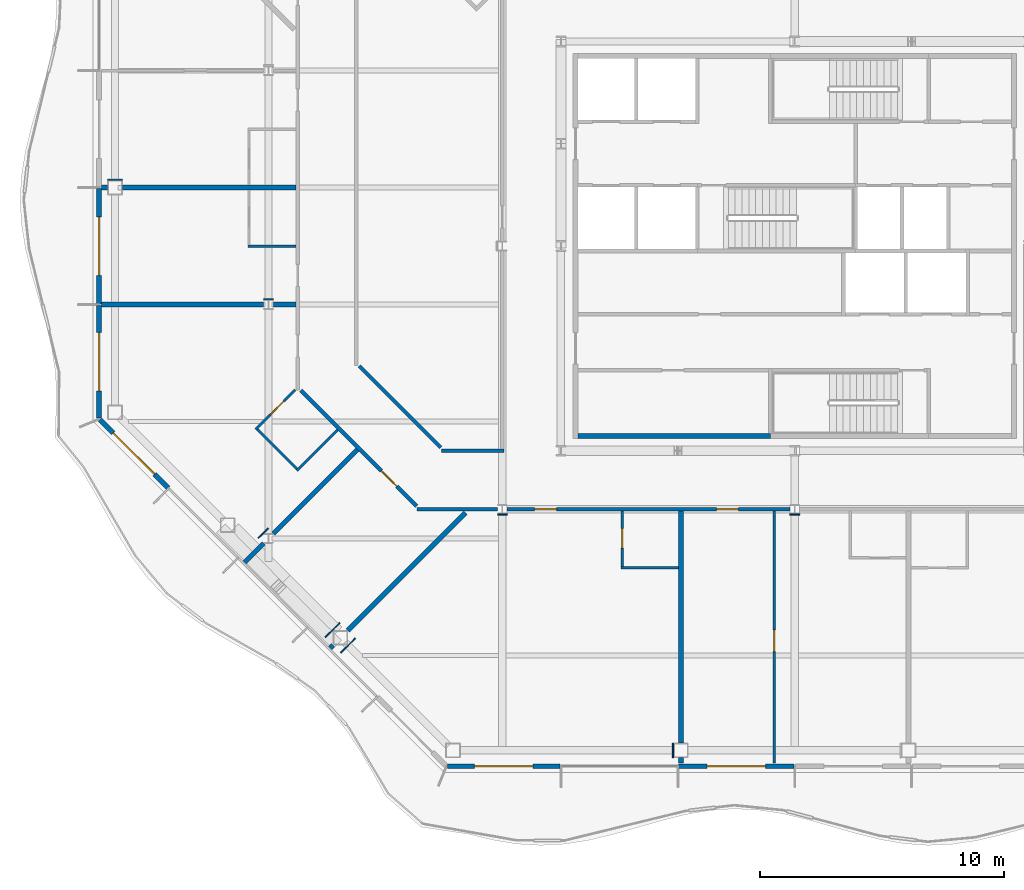
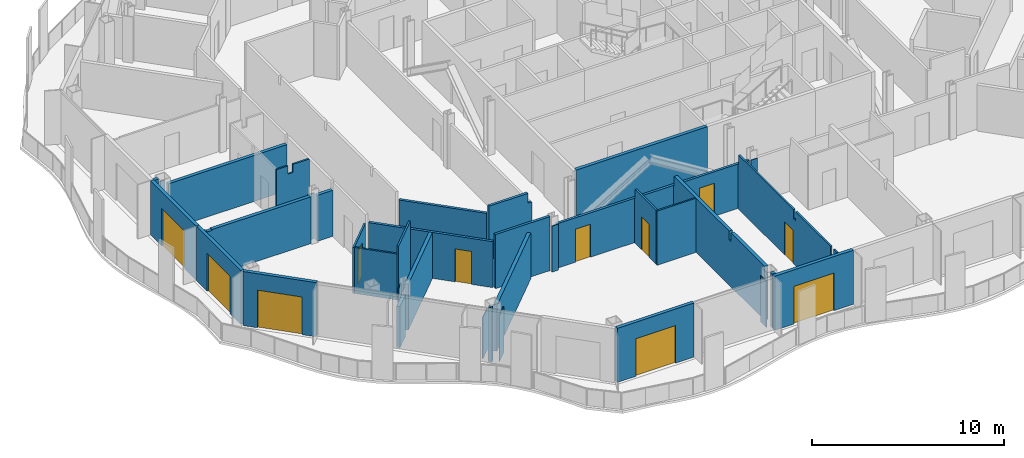
# One storey, part 7 of 21: 36 walls, 11 doors, 11 openings.
"""IFC4 building model written with IfcOpenShell, lengths in metres."""

from ifc_helpers import new_model, si_unit, direction, frame, frame_2d, origin, place, context, subcontext, project, spatial, polyline, rectangle, outline, extrude, material, layer, layer_set, type_object, element, fill, save


model = new_model("IFC4")

# Units and contexts
model_context = context("Model", 3, precision=1e-05, world=origin(), true_north=direction((0.0, 1.0)))
body_context = subcontext(model_context, "Body", "Model", "MODEL_VIEW")
ifc_project = project(units=[si_unit("LENGTHUNIT", "METRE"), si_unit("AREAUNIT", "SQUARE_METRE"), si_unit("VOLUMEUNIT", "CUBIC_METRE"), si_unit("PLANEANGLEUNIT", "RADIAN"), si_unit("MASSUNIT", "GRAM", prefix="KILO")], contexts=[model_context])

# Site, building, storey
site_placement = place(None, origin())
site = spatial("IfcSite", under=ifc_project, at=site_placement, CompositionType="ELEMENT")
building_placement = place(site_placement, origin())
building = spatial("IfcBuilding", under=site, at=building_placement, Name="Cairn Pilgrim Tower", CompositionType="ELEMENT")
storey_placement = place(building_placement, frame((0.0, 0.0, 161.39990234375)))
storey = spatial("IfcBuildingStorey", under=building, at=storey_placement, Name="L40", CompositionType="ELEMENT", Elevation=161.39990234375)

# Wall, opening, door
ifc_material_1 = material(Name="Bronze anodised aluminium insulated sandwich panel with mineral wool fill", Category="aluminium")
ifc_layer_1 = layer(ifc_material_1, 0.199951171875)
ifc_layer_set_1 = layer_set([ifc_layer_1], Name="BRONZE INFILL FRAME WALL 200")
wall_type_1 = type_object("IfcWallType", Name="BRONZE INFILL FRAME WALL 200", PredefinedType="NOTDEFINED", material=ifc_layer_set_1)
wall_1_placement = place(storey_placement, frame((-7.056396484375, -18.949951171875, 0.0), z_axis=(0.0, 0.0, 1.0), x_axis=(1.0, 0.0, 0.0)))
wall_1 = element("IfcWall", 1, at=wall_1_placement, inside=storey, type_object=wall_type_1, Name="Bronze infill frame wall IW-S1", PredefinedType="NOTDEFINED", context=body_context, shape_type="SweptSolid", body=[
    extrude(rectangle(XDim=4.62646484375, YDim=0.199951171875, at=frame_2d((2.313232421875, 0.0))), origin(), (0.0, 0.0, 1.0), 3.4501953125),
])
opening_1_placement = place(wall_1_placement, frame((1.1083984375, 0.0, 0.0)))
opening_1 = element("IfcOpeningElement", 2, at=opening_1_placement, cuts=wall_1, Name="Opening 4021B2", PredefinedType="OPENING", context=body_context, shape_type="SweptSolid", body=[
    extrude(rectangle(XDim=2.39990234375, YDim=2.39990234375, at=frame_2d((1.199951171875, 1.199951171875))), frame((0.0, 0.10986328125, 0.0), z_axis=(0.0, -1.0, 0.0), x_axis=(1.0, 0.0, 0.0)), (0.0, 0.0, 1.0), 0.219970703125),
])
ifc_material_2 = material(Name="Bronze anodised aluminium frame with tinted low-E glass", Category="aluminium")
door_type_1 = type_object("IfcDoorType", Name="BALCONY SLIDING DOOR 2400x2400", OperationType="DOUBLE_DOOR_SLIDING", PredefinedType="DOOR", material=ifc_material_2)
door_1_placement = place(opening_1_placement, origin())
door_1 = element("IfcDoor", 3, at=door_1_placement, inside=storey, type_object=door_type_1, Name="Balcony sliding door 4021B2", OperationType="SINGLE_SWING_LEFT", OverallHeight=2.39990234375, OverallWidth=2.39990234375, PredefinedType="DOOR", context=body_context, shape_type="SweptSolid", body=[
    extrude(rectangle(XDim=2.39990234375, YDim=2.39990234375, at=frame_2d((1.199951171875, 1.199951171875))), frame((0.0, 0.02490234375, 0.0), z_axis=(0.0, -1.0, 0.0), x_axis=(1.0, 0.0, 0.0)), (0.0, 0.0, 1.0), 0.050048828125),
])
fill(opening_1, door_1)

wall_2_placement = place(storey_placement, frame((2.429931640625, -18.949951171875, 0.0), z_axis=(0.0, 0.0, 1.0), x_axis=(1.0, 0.0, 0.0)))
wall_2 = element("IfcWall", 4, at=wall_2_placement, inside=storey, type_object=wall_type_1, Name="Bronze infill frame wall IW-S3", PredefinedType="NOTDEFINED", context=body_context, shape_type="SweptSolid", body=[
    extrude(rectangle(XDim=4.739990234375, YDim=0.199951171875, at=frame_2d((2.3701171875, 0.0))), origin(), (0.0, 0.0, 1.0), 3.4501953125),
])
opening_2_placement = place(wall_2_placement, frame((1.17041015625, 0.0, 0.0)))
opening_2 = element("IfcOpeningElement", 5, at=opening_2_placement, cuts=wall_2, Name="Opening 4022B", PredefinedType="OPENING", context=body_context, shape_type="SweptSolid", body=[
    extrude(rectangle(XDim=2.39990234375, YDim=2.39990234375, at=frame_2d((1.199951171875, 1.199951171875))), frame((0.0, 0.10986328125, 0.0), z_axis=(0.0, -1.0, 0.0), x_axis=(1.0, 0.0, 0.0)), (0.0, 0.0, 1.0), 0.219970703125),
])
door_2_placement = place(opening_2_placement, origin())
door_2 = element("IfcDoor", 6, at=door_2_placement, inside=storey, type_object=door_type_1, Name="Balcony sliding door 4022B", OperationType="SINGLE_SWING_LEFT", OverallHeight=2.39990234375, OverallWidth=2.39990234375, PredefinedType="DOOR", context=body_context, shape_type="SweptSolid", body=[
    extrude(rectangle(XDim=2.39990234375, YDim=2.39990234375, at=frame_2d((1.199951171875, 1.199951171875))), frame((0.0, 0.02490234375, 0.0), z_axis=(0.0, -1.0, 0.0), x_axis=(1.0, 0.0, 0.0)), (0.0, 0.0, 1.0), 0.050048828125),
])
fill(opening_2, door_2)

wall_3_placement = place(storey_placement, frame((-21.35009765625, 4.77001953125, 0.0), z_axis=(0.0, 0.0, 1.0), x_axis=(0.0, -1.0, 0.0)))
wall_3 = element("IfcWall", 7, at=wall_3_placement, inside=storey, type_object=wall_type_1, Name="Bronze infill frame wall IW-W3", PredefinedType="NOTDEFINED", context=body_context, shape_type="SweptSolid", body=[
    extrude(rectangle(XDim=4.739990234375, YDim=0.199951171875, at=frame_2d((2.3701171875, 0.0))), origin(), (0.0, 0.0, 1.0), 3.4501953125),
])
opening_3_placement = place(wall_3_placement, frame((1.169921875, 0.0, 0.0)))
opening_3 = element("IfcOpeningElement", 8, at=opening_3_placement, cuts=wall_3, Name="Opening 4018B", PredefinedType="OPENING", context=body_context, shape_type="SweptSolid", body=[
    extrude(rectangle(XDim=2.39990234375, YDim=2.39990234375, at=frame_2d((1.199951171875, 1.199951171875))), frame((0.0, 0.10986328125, 0.0), z_axis=(0.0, -1.0, 0.0), x_axis=(1.0, 0.0, 0.0)), (0.0, 0.0, 1.0), 0.219970703125),
])
door_3_placement = place(opening_3_placement, origin())
door_3 = element("IfcDoor", 9, at=door_3_placement, inside=storey, type_object=door_type_1, Name="Balcony sliding door 4018B", OperationType="SINGLE_SWING_LEFT", OverallHeight=2.39990234375, OverallWidth=2.39990234375, PredefinedType="DOOR", context=body_context, shape_type="SweptSolid", body=[
    extrude(rectangle(XDim=2.39990234375, YDim=2.39990234375, at=frame_2d((1.199951171875, 1.199951171875))), frame((0.0, 0.02490234375, 0.0), z_axis=(0.0, -1.0, 0.0), x_axis=(1.0, 0.0, 0.0)), (0.0, 0.0, 1.0), 0.050048828125),
])
fill(opening_3, door_3)

wall_4_placement = place(storey_placement, frame((-21.35009765625, -0.030029296875, 0.0), z_axis=(0.0, 0.0, 1.0), x_axis=(0.0, -1.0, 0.0)))
wall_4 = element("IfcWall", 10, at=wall_4_placement, inside=storey, type_object=wall_type_1, Name="Bronze infill frame wall IW-W4", PredefinedType="NOTDEFINED", context=body_context, shape_type="SweptSolid", body=[
    extrude(rectangle(XDim=4.62646484375, YDim=0.199951171875, at=frame_2d((2.313232421875, 0.0))), origin(), (0.0, 0.0, 1.0), 3.4501953125),
])
opening_4_placement = place(wall_4_placement, frame((1.117919921875, 0.0, 0.0)))
opening_4 = element("IfcOpeningElement", 11, at=opening_4_placement, cuts=wall_4, Name="Opening 4019B", PredefinedType="OPENING", context=body_context, shape_type="SweptSolid", body=[
    extrude(rectangle(XDim=2.39990234375, YDim=2.39990234375, at=frame_2d((1.199951171875, 1.199951171875))), frame((0.0, 0.10986328125, 0.0), z_axis=(0.0, -1.0, 0.0), x_axis=(1.0, 0.0, 0.0)), (0.0, 0.0, 1.0), 0.219970703125),
])
door_4_placement = place(opening_4_placement, origin())
door_4 = element("IfcDoor", 12, at=door_4_placement, inside=storey, type_object=door_type_1, Name="Balcony sliding door 4019B", OperationType="SINGLE_SWING_LEFT", OverallHeight=2.39990234375, OverallWidth=2.39990234375, PredefinedType="DOOR", context=body_context, shape_type="SweptSolid", body=[
    extrude(rectangle(XDim=2.39990234375, YDim=2.39990234375, at=frame_2d((1.199951171875, 1.199951171875))), frame((0.0, 0.02490234375, 0.0), z_axis=(0.0, -1.0, 0.0), x_axis=(1.0, 0.0, 0.0)), (0.0, 0.0, 1.0), 0.050048828125),
])
fill(opening_4, door_4)

wall_5_placement = place(storey_placement, frame((-21.32177734375, -4.724609375, 0.0), z_axis=(0.0, 0.0, 1.0), x_axis=(0.707106781187, -0.707106781187, 0.0)))
wall_5 = element("IfcWall", 13, at=wall_5_placement, inside=storey, type_object=wall_type_1, Name="Bronze infill frame wall IW-SW1", PredefinedType="NOTDEFINED", context=body_context, shape_type="SweptSolid", body=[
    extrude(rectangle(XDim=3.961669921875, YDim=0.199951171875, at=frame_2d((1.98095703125, 0.0))), origin(), (0.0, 0.0, 1.0), 3.4501953125),
])
opening_5_placement = place(wall_5_placement, frame((0.775390625, 0.0, 0.0)))
opening_5 = element("IfcOpeningElement", 14, at=opening_5_placement, cuts=wall_5, Name="Opening 4019B2", PredefinedType="OPENING", context=body_context, shape_type="SweptSolid", body=[
    extrude(rectangle(XDim=2.39990234375, YDim=2.39990234375, at=frame_2d((1.199951171875, 1.199951171875))), frame((0.0, 0.10986328125, 0.0), z_axis=(0.0, -1.0, 0.0), x_axis=(1.0, 0.0, 0.0)), (0.0, 0.0, 1.0), 0.219970703125),
])
door_5_placement = place(opening_5_placement, origin())
door_5 = element("IfcDoor", 15, at=door_5_placement, inside=storey, type_object=door_type_1, Name="Balcony sliding door 4019B2", OperationType="SINGLE_SWING_LEFT", OverallHeight=2.39990234375, OverallWidth=2.39990234375, PredefinedType="DOOR", context=body_context, shape_type="SweptSolid", body=[
    extrude(rectangle(XDim=2.39990234375, YDim=2.39990234375, at=frame_2d((1.199951171875, 1.199951171875))), frame((0.0, 0.02490234375, 0.0), z_axis=(0.0, -1.0, 0.0), x_axis=(1.0, 0.0, 0.0)), (0.0, 0.0, 1.0), 0.050048828125),
])
fill(opening_5, door_5)

# Wall
ifc_material_3 = material(Name="Concrete C32/40", Category="concrete")
ifc_layer_2 = layer(ifc_material_3, 0.199951171875)
ifc_layer_set_2 = layer_set([ifc_layer_2], Name="CORE OUTER WALL 200 EI 120")
wall_type_2 = type_object("IfcWallType", Name="CORE OUTER WALL 200 EI 120", PredefinedType="SOLIDWALL", material=ifc_layer_set_2)
wall_6_placement = place(storey_placement, frame((-1.699951171875, -5.39990234375, 0.0), z_axis=(0.0, 0.0, 1.0), x_axis=(1.0, 0.0, 0.0)))
element("IfcWall", 16, at=wall_6_placement, inside=storey, type_object=wall_type_2, Name="CW:L40:H01-1", PredefinedType="SOLIDWALL", context=body_context, shape_type="SweptSolid", body=[
    extrude(rectangle(XDim=7.89990234375, YDim=0.199951171875, at=frame_2d((3.949951171875, 0.0))), origin(), (0.0, 0.0, 1.0), 3.4501953125),
])

# Wall, opening, door
ifc_material_4 = material(Name="Gypsum partition")
ifc_layer_3 = layer(ifc_material_4, 0.10009765625)
ifc_layer_set_3 = layer_set([ifc_layer_3], Name="PARTITION 100 DRYWALL")
wall_type_3 = type_object("IfcWallType", Name="PARTITION 100 DRYWALL", PredefinedType="PARTITIONING", material=ifc_layer_set_3)
wall_7_placement = place(storey_placement, frame((6.35791015625, -18.820068359375, 0.0), z_axis=(0.0, 0.0, 1.0), x_axis=(0.0, 1.0, 0.0)))
wall_7 = element("IfcWall", 17, at=wall_7_placement, inside=storey, type_object=wall_type_3, Name="PARTITION W002", PredefinedType="PARTITIONING", context=body_context, shape_type="SweptSolid", body=[
    extrude(outline(polyline([(0.0, 0.0), (10.344970703125, 0.0), (10.344970703125, 2.830078125), (10.27001953125, 2.830078125), (10.26806640625, 3.4501953125), (4.52490234375, 3.4501953125), (4.52294921875, 2.880126953125), (4.31494140625, 2.880126953125), (4.31298828125, 3.4501953125), (0.669921875, 3.4501953125), (0.66796875, 2.93017578125), (0.3701171875, 2.93017578125), (0.367919921875, 3.4501953125), (0.0, 3.4501953125), (0.0, 0.0)])), frame((0.0, 0.050048828125, 0.0), z_axis=(0.0, -1.0, 0.0), x_axis=(1.0, 0.0, 0.0)), (0.0, 0.0, 1.0), 0.10009765625),
])
opening_6_placement = place(wall_7_placement, frame((4.570068359375, 0.0, 0.0)))
opening_6 = element("IfcOpeningElement", 18, at=opening_6_placement, cuts=wall_7, Name="Opening 4022C", PredefinedType="OPENING", context=body_context, shape_type="SweptSolid", body=[
    extrude(rectangle(XDim=0.89990234375, YDim=2.10009765625, at=frame_2d((0.449951171875, 1.050048828125))), frame((0.0, 0.06005859375, 0.0), z_axis=(0.0, -1.0, 0.0), x_axis=(1.0, 0.0, 0.0)), (0.0, 0.0, 1.0), 0.1201171875),
])
ifc_material_5 = material(Name="Timber door leaf", Category="wood")
door_type_2 = type_object("IfcDoorType", Name="SERVICE DOOR 900x2100", OperationType="NOTDEFINED", PredefinedType="DOOR", material=ifc_material_5)
door_6_placement = place(opening_6_placement, origin())
door_6 = element("IfcDoor", 19, at=door_6_placement, inside=storey, type_object=door_type_2, Name="DOOR 4022C", OperationType="SINGLE_SWING_RIGHT", OverallHeight=2.10009765625, OverallWidth=0.89990234375, PredefinedType="DOOR", context=body_context, shape_type="SweptSolid", body=[
    extrude(rectangle(XDim=0.89990234375, YDim=2.10009765625, at=frame_2d((0.449951171875, 1.050048828125))), frame((0.0, 0.02490234375, 0.0), z_axis=(0.0, -1.0, 0.0), x_axis=(1.0, 0.0, 0.0)), (0.0, 0.0, 1.0), 0.050048828125),
])
fill(opening_6, door_6)

# Wall
wall_8_placement = place(storey_placement, frame((0.073974609375, -10.800048828125, 0.0), z_axis=(0.0, 0.0, 1.0), x_axis=(1.0, 0.0, 0.0)))
element("IfcWall", 20, at=wall_8_placement, inside=storey, type_object=wall_type_3, Name="PARTITION W011", PredefinedType="PARTITIONING", context=body_context, shape_type="SweptSolid", body=[
    extrude(rectangle(XDim=2.35009765625, YDim=0.10009765625, at=frame_2d((1.175048828125, 0.0))), origin(), (0.0, 0.0, 1.0), 3.4501953125),
])

# Wall, opening, door
wall_9_placement = place(storey_placement, frame((0.1240234375, -10.75, 0.0), z_axis=(0.0, 0.0, 1.0), x_axis=(0.0, 1.0, 0.0)))
wall_9 = element("IfcWall", 21, at=wall_9_placement, inside=storey, type_object=wall_type_3, Name="PARTITION W012", PredefinedType="PARTITIONING", context=body_context, shape_type="SweptSolid", body=[
    extrude(outline(polyline([(0.0, 0.0), (2.27490234375, 0.0), (2.27490234375, 2.830078125), (2.199951171875, 2.830078125), (2.197998046875, 3.4501953125), (0.0, 3.4501953125), (0.0, 0.0)])), frame((0.0, 0.050048828125, 0.0), z_axis=(0.0, -1.0, 0.0), x_axis=(1.0, 0.0, 0.0)), (0.0, 0.0, 1.0), 0.10009765625),
])
opening_7_placement = place(wall_9_placement, frame((0.75, 0.0, 0.0)))
opening_7 = element("IfcOpeningElement", 22, at=opening_7_placement, cuts=wall_9, Name="Opening 4021A", PredefinedType="OPENING", context=body_context, shape_type="SweptSolid", body=[
    extrude(rectangle(XDim=0.800048828125, YDim=2.10009765625, at=frame_2d((0.39990234375, 1.050048828125))), frame((0.0, 0.06005859375, 0.0), z_axis=(0.0, -1.0, 0.0), x_axis=(1.0, 0.0, 0.0)), (0.0, 0.0, 1.0), 0.1201171875),
])
door_type_3 = type_object("IfcDoorType", Name="WC DOOR 800x2100", OperationType="NOTDEFINED", PredefinedType="DOOR", material=ifc_material_5)
door_7_placement = place(opening_7_placement, origin())
door_7 = element("IfcDoor", 23, at=door_7_placement, inside=storey, type_object=door_type_3, Name="DOOR 4021A", OperationType="SINGLE_SWING_RIGHT", OverallHeight=2.10009765625, OverallWidth=0.800048828125, PredefinedType="DOOR", context=body_context, shape_type="SweptSolid", body=[
    extrude(rectangle(XDim=0.800048828125, YDim=2.10009765625, at=frame_2d((0.39990234375, 1.050048828125))), frame((0.0, 0.02490234375, 0.0), z_axis=(0.0, -1.0, 0.0), x_axis=(1.0, 0.0, 0.0)), (0.0, 0.0, 1.0), 0.050048828125),
])
fill(opening_7, door_7)

# Walls
wall_10_placement = place(storey_placement, frame((-13.2353515625, -6.752685546875, 0.0), z_axis=(0.0, 0.0, 1.0), x_axis=(-0.707106781187, 0.707106781187, 0.0)))
element("IfcWall", 24, at=wall_10_placement, inside=storey, type_object=wall_type_3, Name="PARTITION W028", PredefinedType="PARTITIONING", context=body_context, shape_type="SweptSolid", body=[
    extrude(rectangle(XDim=2.2998046875, YDim=0.10009765625, at=frame_2d((1.14990234375, 0.0))), origin(), (0.0, 0.0, 1.0), 2.93017578125),
])
wall_11_placement = place(storey_placement, frame((-13.2353515625, -6.823486328125, 0.0), z_axis=(0.0, 0.0, 1.0), x_axis=(0.707106781187, 0.707106781187, 0.0)))
element("IfcWall", 25, at=wall_11_placement, inside=storey, type_object=wall_type_3, Name="PARTITION W029", PredefinedType="PARTITIONING", context=body_context, shape_type="SweptSolid", body=[
    extrude(rectangle(XDim=2.375, YDim=0.10009765625, at=frame_2d((1.1875, 0.0))), origin(), (0.0, 0.0, 1.0), 3.4501953125),
])

# Wall, opening, door
wall_12_placement = place(storey_placement, frame((-14.932373046875, -5.12646484375, 0.0), z_axis=(0.0, 0.0, 1.0), x_axis=(0.707106781187, 0.707106781187, 0.0)))
wall_12 = element("IfcWall", 26, at=wall_12_placement, inside=storey, type_object=wall_type_3, Name="PARTITION W037", PredefinedType="PARTITIONING", context=body_context, shape_type="SweptSolid", body=[
    extrude(rectangle(XDim=2.2939453125, YDim=0.10009765625, at=frame_2d((1.14697265625, 0.0))), origin(), (0.0, 0.0, 1.0), 2.93017578125),
])
opening_8_placement = place(wall_12_placement, frame((0.849853515625, 0.0, 0.0)))
opening_8 = element("IfcOpeningElement", 27, at=opening_8_placement, cuts=wall_12, Name="Opening 4019A", PredefinedType="OPENING", context=body_context, shape_type="SweptSolid", body=[
    extrude(rectangle(XDim=0.800048828125, YDim=2.10009765625, at=frame_2d((0.39990234375, 1.050048828125))), frame((0.0, 0.06005859375, 0.0), z_axis=(0.0, -1.0, 0.0), x_axis=(1.0, 0.0, 0.0)), (0.0, 0.0, 1.0), 0.1201171875),
])
door_8_placement = place(opening_8_placement, origin())
door_8 = element("IfcDoor", 28, at=door_8_placement, inside=storey, type_object=door_type_3, Name="DOOR 4019A", OperationType="SINGLE_SWING_LEFT", OverallHeight=2.10009765625, OverallWidth=0.800048828125, PredefinedType="DOOR", context=body_context, shape_type="SweptSolid", body=[
    extrude(rectangle(XDim=0.800048828125, YDim=2.10009765625, at=frame_2d((0.39990234375, 1.050048828125))), frame((0.0, 0.02490234375, 0.0), z_axis=(0.0, -1.0, 0.0), x_axis=(1.0, 0.0, 0.0)), (0.0, 0.0, 1.0), 0.050048828125),
])
fill(opening_8, door_8)

# Walls
wall_13_placement = place(storey_placement, frame((-15.25, 2.39990234375, 0.0), z_axis=(0.0, 0.0, 1.0), x_axis=(1.0, 0.0, 0.0)))
element("IfcWall", 29, at=wall_13_placement, inside=storey, type_object=wall_type_3, Name="PARTITION W050", PredefinedType="PARTITIONING", context=body_context, shape_type="SweptSolid", body=[
    extrude(outline(polyline([(0.0, 0.0), (1.97509765625, 0.0), (1.97509765625, 3.4501953125), (1.0, 3.4501953125), (0.998046875, 2.93017578125), (0.699951171875, 2.93017578125), (0.697998046875, 3.4501953125), (0.0, 3.4501953125), (0.0, 0.0)])), frame((0.0, 0.050048828125, 0.0), z_axis=(0.0, -1.0, 0.0), x_axis=(1.0, 0.0, 0.0)), (0.0, 0.0, 1.0), 0.10009765625),
])
ifc_layer_4 = layer(ifc_material_4, 0.14990234375)
ifc_layer_set_4 = layer_set([ifc_layer_4], Name="PARTITION 150 DRYWALL EI 60")
wall_type_4 = type_object("IfcWallType", Name="PARTITION 150 DRYWALL EI 60", PredefinedType="PARTITIONING", material=ifc_layer_set_4)
wall_14_placement = place(storey_placement, frame((-8.300048828125, -8.39990234375, 0.0), z_axis=(0.0, 0.0, 1.0), x_axis=(1.0, 0.0, 0.0)))
element("IfcWall", 30, at=wall_14_placement, inside=storey, type_object=wall_type_4, Name="PARTITION W021", PredefinedType="PARTITIONING", context=body_context, shape_type="SweptSolid", body=[
    extrude(rectangle(XDim=3.300537109375, YDim=0.14990234375, at=frame_2d((1.650390625, 0.0))), origin(), (0.0, 0.0, 1.0), 3.4501953125),
])

# Wall, openings, doors
wall_15_placement = place(storey_placement, frame((-4.6005859375, -8.39990234375, 0.0), z_axis=(0.0, 0.0, 1.0), x_axis=(1.0, 0.0, 0.0)))
wall_15 = element("IfcWall", 31, at=wall_15_placement, inside=storey, type_object=wall_type_4, Name="PARTITION W022", PredefinedType="PARTITIONING", context=body_context, shape_type="SweptSolid", body=[
    extrude(rectangle(XDim=11.60107421875, YDim=0.14990234375, at=frame_2d((5.800537109375, 0.0))), origin(), (0.0, 0.0, 1.0), 2.830078125),
])
opening_9_placement = place(wall_15_placement, frame((1.12451171875, 0.0, 0.0)))
opening_9 = element("IfcOpeningElement", 32, at=opening_9_placement, cuts=wall_15, Name="Opening 4021", PredefinedType="OPENING", context=body_context, shape_type="SweptSolid", body=[
    extrude(rectangle(XDim=0.89990234375, YDim=2.10009765625, at=frame_2d((0.449951171875, 1.050048828125))), frame((0.0, 0.0849609375, 0.0), z_axis=(0.0, -1.0, 0.0), x_axis=(1.0, 0.0, 0.0)), (0.0, 0.0, 1.0), 0.169921875),
])
opening_10_placement = place(wall_15_placement, frame((8.591552734375, 0.0, 0.0)))
opening_10 = element("IfcOpeningElement", 33, at=opening_10_placement, cuts=wall_15, Name="Opening 4022", PredefinedType="OPENING", context=body_context, shape_type="SweptSolid", body=[
    extrude(rectangle(XDim=0.89990234375, YDim=2.10009765625, at=frame_2d((0.449951171875, 1.050048828125))), frame((0.0, 0.0849609375, 0.0), z_axis=(0.0, -1.0, 0.0), x_axis=(1.0, 0.0, 0.0)), (0.0, 0.0, 1.0), 0.169921875),
])
door_type_4 = type_object("IfcDoorType", Name="ROOM DOOR 900x2100 FD30S", OperationType="NOTDEFINED", PredefinedType="DOOR", material=ifc_material_5)
door_9_placement = place(opening_9_placement, frame((0.89990234375, 0.0, 0.0), z_axis=(0.0, 0.0, 1.0), x_axis=(-1.0, 0.0, 0.0)))
door_9 = element("IfcDoor", 34, at=door_9_placement, inside=storey, type_object=door_type_4, Name="DOOR 4021", OperationType="SINGLE_SWING_RIGHT", OverallHeight=2.10009765625, OverallWidth=0.89990234375, PredefinedType="DOOR", context=body_context, shape_type="SweptSolid", body=[
    extrude(rectangle(XDim=0.89990234375, YDim=2.10009765625, at=frame_2d((0.449951171875, 1.050048828125))), frame((0.0, 0.02490234375, 0.0), z_axis=(0.0, -1.0, 0.0), x_axis=(1.0, 0.0, 0.0)), (0.0, 0.0, 1.0), 0.050048828125),
])
fill(opening_9, door_9)
door_10_placement = place(opening_10_placement, frame((0.89990234375, 0.0, 0.0), z_axis=(0.0, 0.0, 1.0), x_axis=(-1.0, 0.0, 0.0)))
door_10 = element("IfcDoor", 35, at=door_10_placement, inside=storey, type_object=door_type_4, Name="DOOR 4022", OperationType="SINGLE_SWING_RIGHT", OverallHeight=2.10009765625, OverallWidth=0.89990234375, PredefinedType="DOOR", context=body_context, shape_type="SweptSolid", body=[
    extrude(rectangle(XDim=0.89990234375, YDim=2.10009765625, at=frame_2d((0.449951171875, 1.050048828125))), frame((0.0, 0.02490234375, 0.0), z_axis=(0.0, -1.0, 0.0), x_axis=(1.0, 0.0, 0.0)), (0.0, 0.0, 1.0), 0.050048828125),
])
fill(opening_10, door_10)

# Wall, opening, door
wall_16_placement = place(storey_placement, frame((-8.322021484375, -8.27197265625, 0.0), z_axis=(0.0, 0.0, 1.0), x_axis=(-0.707106781187, 0.707106781187, 0.0)))
wall_16 = element("IfcWall", 36, at=wall_16_placement, inside=storey, type_object=wall_type_4, Name="PARTITION W025", PredefinedType="PARTITIONING", context=body_context, shape_type="SweptSolid", body=[
    extrude(rectangle(XDim=6.717529296875, YDim=0.14990234375, at=frame_2d((3.35888671875, 0.0))), origin(), (0.0, 0.0, 1.0), 2.93017578125),
])
opening_11_placement = place(wall_16_placement, frame((1.138916015625, 0.0, 0.0)))
opening_11 = element("IfcOpeningElement", 37, at=opening_11_placement, cuts=wall_16, Name="Opening 4020", PredefinedType="OPENING", context=body_context, shape_type="SweptSolid", body=[
    extrude(rectangle(XDim=0.89990234375, YDim=2.10009765625, at=frame_2d((0.449951171875, 1.050048828125))), frame((0.0, 0.0849609375, 0.0), z_axis=(0.0, -1.0, 0.0), x_axis=(1.0, 0.0, 0.0)), (0.0, 0.0, 1.0), 0.169921875),
])
door_type_5 = type_object("IfcDoorType", Name="SERVICE DOOR 900x2100 FD30S", OperationType="NOTDEFINED", PredefinedType="DOOR", material=ifc_material_5)
door_11_placement = place(opening_11_placement, origin())
door_11 = element("IfcDoor", 38, at=door_11_placement, inside=storey, type_object=door_type_5, Name="DOOR 4020", OperationType="SINGLE_SWING_RIGHT", OverallHeight=2.10009765625, OverallWidth=0.89990234375, PredefinedType="DOOR", context=body_context, shape_type="SweptSolid", body=[
    extrude(rectangle(XDim=0.89990234375, YDim=2.10009765625, at=frame_2d((0.449951171875, 1.050048828125))), frame((0.0, 0.02490234375, 0.0), z_axis=(0.0, -1.0, 0.0), x_axis=(1.0, 0.0, 0.0)), (0.0, 0.0, 1.0), 0.050048828125),
])
fill(opening_11, door_11)

# Walls
wall_17_placement = place(storey_placement, frame((-7.30615234375, -6.0, 0.0), z_axis=(0.0, 0.0, 1.0), x_axis=(1.0, 0.0, 0.0)))
element("IfcWall", 39, at=wall_17_placement, inside=storey, type_object=wall_type_4, Name="PARTITION W031", PredefinedType="PARTITIONING", context=body_context, shape_type="SweptSolid", body=[
    extrude(outline(polyline([(0.0, 0.0), (2.5810546875, 0.0), (2.5810546875, 2.830078125), (2.356201171875, 2.830078125), (2.35400390625, 3.4501953125), (0.0, 3.4501953125), (0.0, 0.0)])), frame((0.0, 0.074951171875, 0.0), z_axis=(0.0, -1.0, 0.0), x_axis=(1.0, 0.0, 0.0)), (0.0, 0.0, 1.0), 0.14990234375),
])
wall_18_placement = place(storey_placement, frame((-7.327880859375, -5.8720703125, 0.0), z_axis=(0.0, 0.0, 1.0), x_axis=(-0.707106781187, 0.707106781187, 0.0)))
element("IfcWall", 40, at=wall_18_placement, inside=storey, type_object=wall_type_4, Name="PARTITION W033", PredefinedType="PARTITIONING", context=body_context, shape_type="SweptSolid", body=[
    extrude(rectangle(XDim=4.72900390625, YDim=0.14990234375, at=frame_2d((2.364501953125, 0.0))), origin(), (0.0, 0.0, 1.0), 2.93017578125),
])
ifc_layer_5 = layer(ifc_material_4, 0.050048828125)
ifc_layer_set_5 = layer_set([ifc_layer_5], Name="PARTITION 50 DRYWALL EI 60")
wall_type_5 = type_object("IfcWallType", Name="PARTITION 50 DRYWALL EI 60", PredefinedType="PARTITIONING", material=ifc_layer_set_5)
wall_19_placement = place(storey_placement, frame((2.19921875, -18.60009765625, 0.0), z_axis=(0.0, 0.0, 1.0), x_axis=(0.0, 1.0, 0.0)))
element("IfcWall", 41, at=wall_19_placement, inside=storey, type_object=wall_type_5, Name="COLUMN CASING WC01", PredefinedType="PARTITIONING", context=body_context, shape_type="SweptSolid", body=[
    extrude(rectangle(XDim=0.60009765625, YDim=0.050048828125, at=frame_2d((0.300048828125, 0.0))), origin(), (0.0, 0.0, 1.0), 2.93017578125),
])
wall_20_placement = place(storey_placement, frame((-12.069091796875, -13.657958984375, 0.0), z_axis=(0.0, 0.0, 1.0), x_axis=(0.707106781187, 0.707106781187, 0.0)))
element("IfcWall", 42, at=wall_20_placement, inside=storey, type_object=wall_type_5, Name="COLUMN CASING WC03", PredefinedType="PARTITIONING", context=body_context, shape_type="SweptSolid", body=[
    extrude(rectangle(XDim=0.848388671875, YDim=0.050048828125, at=frame_2d((0.42431640625, 0.0))), origin(), (0.0, 0.0, 1.0), 2.630126953125),
])
wall_21_placement = place(storey_placement, frame((-11.433837890625, -14.29345703125, 0.0), z_axis=(0.0, 0.0, 1.0), x_axis=(0.707106781187, 0.707106781187, 0.0)))
element("IfcWall", 43, at=wall_21_placement, inside=storey, type_object=wall_type_5, Name="COLUMN CASING WC04", PredefinedType="PARTITIONING", context=body_context, shape_type="SweptSolid", body=[
    extrude(rectangle(XDim=0.8486328125, YDim=0.050048828125, at=frame_2d((0.42431640625, 0.0))), origin(), (0.0, 0.0, 1.0), 2.93017578125),
])
wall_22_placement = place(storey_placement, frame((-14.813720703125, -9.582275390625, 0.0), z_axis=(0.0, 0.0, 1.0), x_axis=(0.707106781187, 0.707106781187, 0.0)))
element("IfcWall", 44, at=wall_22_placement, inside=storey, type_object=wall_type_5, Name="COLUMN CASING WC07", PredefinedType="PARTITIONING", context=body_context, shape_type="SweptSolid", body=[
    extrude(rectangle(XDim=0.56005859375, YDim=0.050048828125, at=frame_2d((0.280029296875, 0.0))), origin(), (0.0, 0.0, 1.0), 2.93017578125),
])
for number, where, z_axis, x_axis, name in (
    (45, (-4.99951171875, -8.62158203125, 0.0), (0.0, 0.0, 1.0), (1.0, 0.0, 0.0), "COLUMN CASING WC10"),
    (46, (7.00048828125, -8.62158203125, 0.0), (0.0, 0.0, 1.0), (1.0, 0.0, 0.0), "COLUMN CASING WC11"),
):
    element("IfcWall", number, at=place(storey_placement, frame(where, z_axis=z_axis, x_axis=x_axis)), inside=storey, type_object=wall_type_5, Name=name, PredefinedType="PARTITIONING", context=body_context, shape_type="SweptSolid", body=[
        extrude(rectangle(XDim=0.39892578125, YDim=0.050048828125, at=frame_2d((0.199462890625, 0.0))), origin(), (0.0, 0.0, 1.0), 2.93017578125),
    ])
wall_23_placement = place(storey_placement, frame((-14.599609375, 0.221435546875, 0.0), z_axis=(0.0, 0.0, 1.0), x_axis=(1.0, 0.0, 0.0)))
element("IfcWall", 47, at=wall_23_placement, inside=storey, type_object=wall_type_5, Name="COLUMN CASING WC17", PredefinedType="PARTITIONING", context=body_context, shape_type="SweptSolid", body=[
    extrude(rectangle(XDim=0.399169921875, YDim=0.050048828125, at=frame_2d((0.19970703125, 0.0))), origin(), (0.0, 0.0, 1.0), 2.93017578125),
])
wall_24_placement = place(storey_placement, frame((-21.0, 5.125, 0.0), z_axis=(0.0, 0.0, 1.0), x_axis=(1.0, 0.0, 0.0)))
element("IfcWall", 48, at=wall_24_placement, inside=storey, type_object=wall_type_5, Name="COLUMN CASING WC19", PredefinedType="PARTITIONING", context=body_context, shape_type="SweptSolid", body=[
    extrude(rectangle(XDim=0.60009765625, YDim=0.050048828125, at=frame_2d((0.300048828125, 0.0))), origin(), (0.0, 0.0, 1.0), 2.93017578125),
])
ifc_layer_6 = layer(ifc_material_4, 0.199951171875)
ifc_layer_set_6 = layer_set([ifc_layer_6], Name="SHAFT WALL 200 GYPSUM EI 60")
wall_type_6 = type_object("IfcWallType", Name="SHAFT WALL 200 GYPSUM EI 60", PredefinedType="PARTITIONING", material=ifc_layer_set_6)
wall_25_placement = place(storey_placement, frame((2.52392578125, -18.820068359375, 0.0), z_axis=(0.0, 0.0, 1.0), x_axis=(0.0, 1.0, 0.0)))
element("IfcWall", 49, at=wall_25_placement, inside=storey, type_object=wall_type_6, Name="PARTITION W001", PredefinedType="PARTITIONING", context=body_context, shape_type="SweptSolid", body=[
    extrude(rectangle(XDim=0.219970703125, YDim=0.199951171875, at=frame_2d((0.10986328125, 0.0))), origin(), (0.0, 0.0, 1.0), 3.4501953125),
])
wall_26_placement = place(storey_placement, frame((2.52392578125, -18.0, 0.0), z_axis=(0.0, 0.0, 1.0), x_axis=(0.0, 1.0, 0.0)))
element("IfcWall", 50, at=wall_26_placement, inside=storey, type_object=wall_type_6, Name="PARTITION W004", PredefinedType="PARTITIONING", context=body_context, shape_type="SweptSolid", body=[
    extrude(outline(polyline([(0.0, 0.0), (9.52490234375, 0.0), (9.52490234375, 2.830078125), (9.449951171875, 2.830078125), (9.447998046875, 3.4501953125), (3.705078125, 3.4501953125), (3.702880859375, 2.880126953125), (3.4951171875, 2.880126953125), (3.492919921875, 3.4501953125), (0.0, 3.4501953125), (0.0, 0.0)])), frame((0.0, 0.10009765625, 0.0), z_axis=(0.0, -1.0, 0.0), x_axis=(1.0, 0.0, 0.0)), (0.0, 0.0, 1.0), 0.199951171875),
])
wall_27_placement = place(storey_placement, frame((-11.868896484375, -14.0927734375, 0.0), z_axis=(0.0, 0.0, 1.0), x_axis=(0.707106781187, 0.707106781187, 0.0)))
element("IfcWall", 51, at=wall_27_placement, inside=storey, type_object=wall_type_6, Name="PARTITION W006", PredefinedType="PARTITIONING", context=body_context, shape_type="SweptSolid", body=[
    extrude(rectangle(XDim=0.165771484375, YDim=0.199951171875, at=frame_2d((0.0830078125, 0.0))), origin(), (0.0, 0.0, 1.0), 3.4501953125),
])
wall_28_placement = place(storey_placement, frame((-11.151611328125, -13.37548828125, 0.0), z_axis=(0.0, 0.0, 1.0), x_axis=(0.707106781187, 0.707106781187, 0.0)))
element("IfcWall", 52, at=wall_28_placement, inside=storey, type_object=wall_type_6, Name="PARTITION W008", PredefinedType="PARTITIONING", context=body_context, shape_type="SweptSolid", body=[
    extrude(rectangle(XDim=6.830322265625, YDim=0.199951171875, at=frame_2d((3.4150390625, 0.0))), origin(), (0.0, 0.0, 1.0), 2.93017578125),
])
wall_29_placement = place(storey_placement, frame((-15.380859375, -10.580810546875, 0.0), z_axis=(0.0, 0.0, 1.0), x_axis=(0.707217034054, 0.706996511125, 0.0)))
element("IfcWall", 53, at=wall_29_placement, inside=storey, type_object=wall_type_6, Name="PARTITION W015", PredefinedType="PARTITIONING", context=body_context, shape_type="SweptSolid", body=[
    extrude(rectangle(XDim=1.107177734375, YDim=0.199951171875, at=frame_2d((0.5537109375, 0.0))), origin(), (0.0, 0.0, 1.0), 2.630126953125),
])
wall_30_placement = place(storey_placement, frame((-14.201904296875, -9.402099609375, 0.0), z_axis=(0.0, 0.0, 1.0), x_axis=(0.707081776084, 0.707131785404, 0.0)))
element("IfcWall", 54, at=wall_30_placement, inside=storey, type_object=wall_type_6, Name="PARTITION W019", PredefinedType="PARTITIONING", context=body_context, shape_type="SweptSolid", body=[
    extrude(rectangle(XDim=4.8818359375, YDim=0.199951171875, at=frame_2d((2.44091796875, 0.0))), origin(), (0.0, 0.0, 1.0), 2.93017578125),
])
wall_31_placement = place(storey_placement, frame((-21.25, 0.0, 0.0), z_axis=(0.0, 0.0, 1.0), x_axis=(1.0, 0.0, 0.0)))
element("IfcWall", 55, at=wall_31_placement, inside=storey, type_object=wall_type_6, Name="PARTITION W043", PredefinedType="PARTITIONING", context=body_context, shape_type="SweptSolid", body=[
    extrude(outline(polyline([(0.0, 0.0), (6.650390625, 0.0), (6.650390625, 2.97998046875), (0.699951171875, 2.97998046875), (0.697998046875, 2.93017578125), (0.39990234375, 2.93017578125), (0.39794921875, 2.97998046875), (0.0, 2.97998046875), (0.0, 0.0)])), frame((0.0, 0.10009765625, 0.0), z_axis=(0.0, -1.0, 0.0), x_axis=(1.0, 0.0, 0.0)), (0.0, 0.0, 1.0), 0.199951171875),
])
wall_32_placement = place(storey_placement, frame((-14.200439453125, 0.0, 0.0), z_axis=(0.0, 0.0, 1.0), x_axis=(1.0, 0.0, 0.0)))
element("IfcWall", 56, at=wall_32_placement, inside=storey, type_object=wall_type_6, Name="PARTITION W044", PredefinedType="PARTITIONING", context=body_context, shape_type="SweptSolid", body=[
    extrude(rectangle(XDim=0.925537109375, YDim=0.199951171875, at=frame_2d((0.462890625, 0.0))), origin(), (0.0, 0.0, 1.0), 2.93017578125),
])
wall_33_placement = place(storey_placement, frame((-21.25, 4.800048828125, 0.0), z_axis=(0.0, 0.0, 1.0), x_axis=(1.0, 0.0, 0.0)))
element("IfcWall", 57, at=wall_33_placement, inside=storey, type_object=wall_type_6, Name="PARTITION W057", PredefinedType="PARTITIONING", context=body_context, shape_type="SweptSolid", body=[
    extrude(rectangle(XDim=0.25, YDim=0.199951171875, at=frame_2d((0.125, 0.0))), origin(), (0.0, 0.0, 1.0), 3.4501953125),
])
wall_34_placement = place(storey_placement, frame((-20.39990234375, 4.800048828125, 0.0), z_axis=(0.0, 0.0, 1.0), x_axis=(1.0, 0.0, 0.0)))
element("IfcWall", 58, at=wall_34_placement, inside=storey, type_object=wall_type_6, Name="PARTITION W058", PredefinedType="PARTITIONING", context=body_context, shape_type="SweptSolid", body=[
    extrude(rectangle(XDim=7.125, YDim=0.199951171875, at=frame_2d((3.5625, 0.0))), origin(), (0.0, 0.0, 1.0), 2.93017578125),
])

save(model, "model.ifc")
